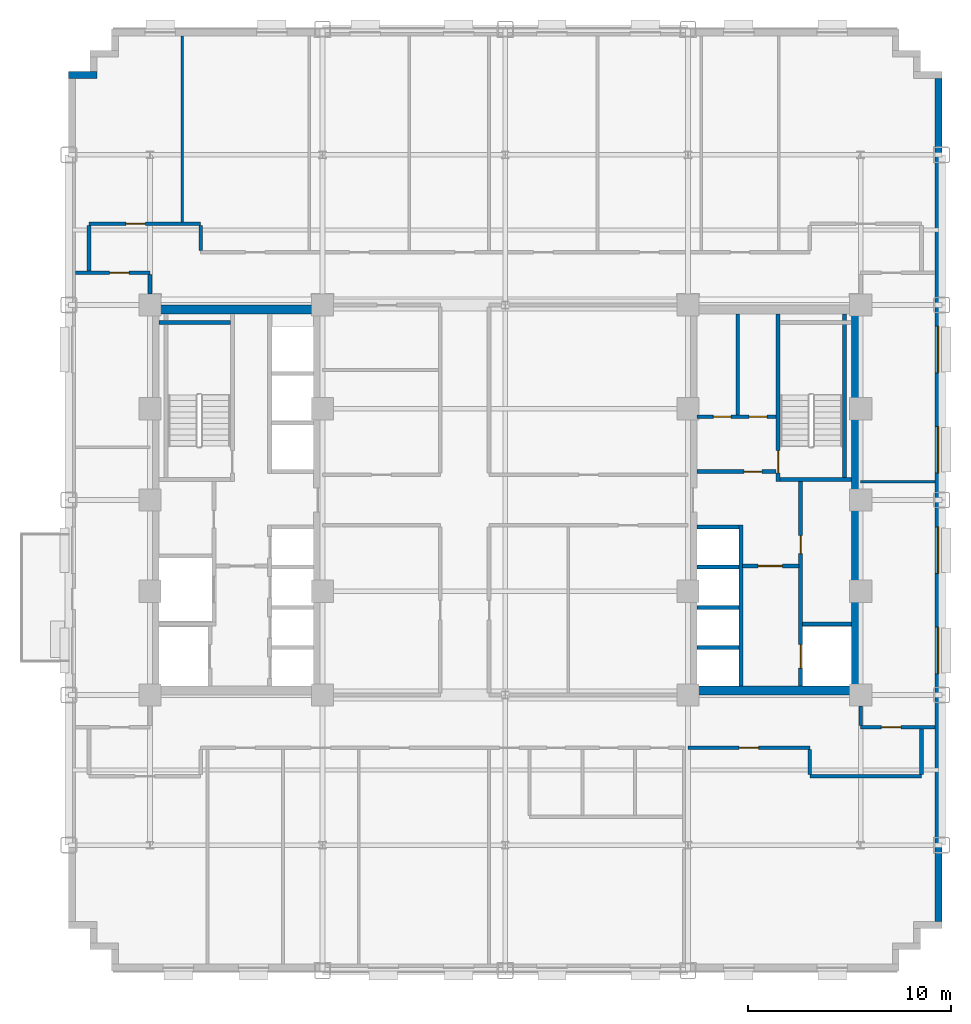
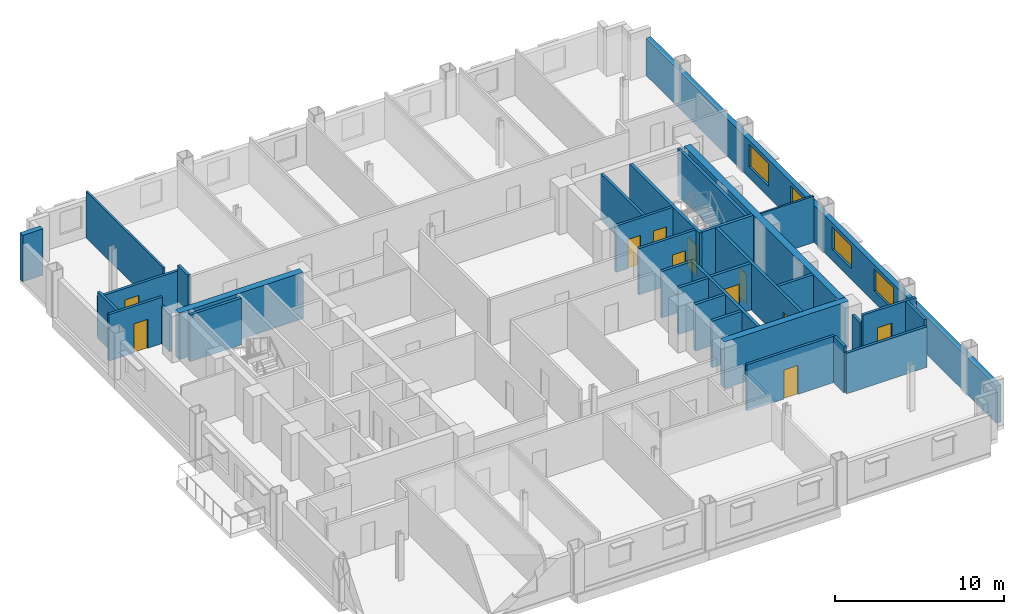
# One storey, part 8 of 14: 33 walls, 11 doors, 4 windows, 15 openings.
"""IFC4 building model written with IfcOpenShell, lengths in metres."""

import ifcopenshell
import ifcopenshell.guid

model = None  # the IFC model being written
_history = None  # IfcOwnerHistory: only IFC2X3 demands one
_inside = {}  # id of a spatial element -> (the spatial element, [elements in it])
_under = {}  # id of a project, library or spatial element -> (it, [spatial elements below it])
_declared = {}  # id of a project -> (the project, [libraries it declares])
_typed = {}  # id of a type object -> (the type object, [elements of that type])
_made_of = {}  # id of a material, layer set ... -> (it, [elements and type objects made of it])


def new_model(schema):
    """Start an empty IFC model of exactly this schema.

    Asked for "IFC4X3", IfcOpenShell would pick the latest addendum, in which some entities
    have other attributes; the version numbers below select the first issue.
    IFC2X3 requires an IfcOwnerHistory on every rooted entity: one is made here for all.
    """
    global model, _history
    if schema == "IFC4X3":
        model = ifcopenshell.file(schema_version=(4, 3, 0, 0))
    else:
        model = ifcopenshell.file(schema=schema)
    _inside.clear()
    _under.clear()
    _declared.clear()
    _typed.clear()
    _made_of.clear()
    _history = None
    if model.schema == "IFC2X3":
        org = make("IfcOrganization", Name="unknown")
        user = make(
            "IfcPersonAndOrganization",
            ThePerson=make("IfcPerson", FamilyName="unknown"),
            TheOrganization=org,
        )
        app = make(
            "IfcApplication",
            ApplicationDeveloper=org,
            Version="unknown",
            ApplicationFullName="unknown",
            ApplicationIdentifier="unknown",
        )
        _history = make(
            "IfcOwnerHistory",
            OwningUser=user,
            OwningApplication=app,
            ChangeAction="ADDED",
            CreationDate=0,
        )
    return model


def make(cls, **values):
    """One entity of the class cls with the attributes given. An attribute that is None is left unset."""
    return model.create_entity(
        cls, **{name: value for name, value in values.items() if value is not None}
    )


def rooted(cls, **values):
    """An entity with a GlobalId (a new one), such as an element, a storey or a relation."""
    return make(cls, GlobalId=ifcopenshell.guid.new(), OwnerHistory=_history, **values)


def si_unit(unit_type, name, prefix=None):
    """IfcSIUnit, for example si_unit("LENGTHUNIT", "METRE", prefix="MILLI")."""
    return make("IfcSIUnit", UnitType=unit_type, Prefix=prefix, Name=name)


def assignment(units):
    """IfcUnitAssignment: the units of a project."""
    return None if units is None else make("IfcUnitAssignment", Units=units)


def point(xyz):
    """IfcCartesianPoint."""
    return None if xyz is None else make("IfcCartesianPoint", Coordinates=xyz)


def direction(xyz):
    """IfcDirection."""
    return None if xyz is None else make("IfcDirection", DirectionRatios=xyz)


def frame(location, z_axis=None, x_axis=None):
    """IfcAxis2Placement3D, a coordinate frame: its origin and axes. An axis left out is left unset."""
    return make(
        "IfcAxis2Placement3D",
        Location=point(location),
        Axis=direction(z_axis),
        RefDirection=direction(x_axis),
    )


def frame_2d(location, x_axis=None):
    """IfcAxis2Placement2D, a coordinate frame in the plane: its origin and x axis."""
    return make(
        "IfcAxis2Placement2D", Location=point(location), RefDirection=direction(x_axis)
    )


def origin():
    """The frame at (0, 0, 0) with its axes left unset."""
    return frame((0.0, 0.0, 0.0))


def place(relative_to, where):
    """IfcLocalPlacement: puts the frame where relative to a parent placement (None: the world)."""
    return make(
        "IfcLocalPlacement", PlacementRelTo=relative_to, RelativePlacement=where
    )


def context(
    kind, dimensions, precision=None, world=None, true_north=None, identifier=None
):
    """IfcGeometricRepresentationContext, for example the 3D "Model" context."""
    return make(
        "IfcGeometricRepresentationContext",
        ContextIdentifier=identifier,
        ContextType=kind,
        CoordinateSpaceDimension=dimensions,
        Precision=precision,
        WorldCoordinateSystem=world,
        TrueNorth=true_north,
    )


def subcontext(parent, identifier, kind, view, scale=None):
    """IfcGeometricRepresentationSubContext, for example "Body" below "Model"."""
    return make(
        "IfcGeometricRepresentationSubContext",
        ContextIdentifier=identifier,
        ContextType=kind,
        ParentContext=parent,
        TargetScale=scale,
        TargetView=view,
    )


def project(units=None, contexts=None):
    """IfcProject with its units and contexts."""
    return rooted(
        "IfcProject",
        Name="project",
        RepresentationContexts=contexts,
        UnitsInContext=assignment(units),
    )


def spatial(cls, under=None, at=None, **own):
    """A site, building, storey or space (cls), placed at a placement, below another one or the project."""
    s = rooted(cls, ObjectPlacement=at, **own)
    if under is not None:
        _under.setdefault(under.id(), (under, []))[1].append(s)
    return s


def profile(cls, at=None, kind="AREA", **sizes):
    """A parametric profile (cls). Its sizes go by their IFC names, for example OverallWidth=200.0."""
    return make(cls, ProfileType=kind, Position=at, **sizes)


def rectangle(**sizes):
    """IfcRectangleProfileDef."""
    return profile("IfcRectangleProfileDef", **sizes)


def extrude(swept, where, along, depth):
    """IfcExtrudedAreaSolid: the profile swept, set in the frame where, extruded along a direction by depth."""
    return make(
        "IfcExtrudedAreaSolid",
        SweptArea=swept,
        Position=where,
        ExtrudedDirection=direction(along),
        Depth=depth,
    )


def shape(context_of_items, identifier, shape_type, items):
    """IfcShapeRepresentation: the items that make up one representation, for example the "Body"."""
    return make(
        "IfcShapeRepresentation",
        ContextOfItems=context_of_items,
        RepresentationIdentifier=identifier,
        RepresentationType=shape_type,
        Items=items,
    )


def source(mapping_origin, context_of_items, identifier, shape_type, items):
    """IfcRepresentationMap: a shape defined once, which mapped items show again and again."""
    return make(
        "IfcRepresentationMap",
        MappingOrigin=mapping_origin,
        MappedRepresentation=shape(context_of_items, identifier, shape_type, items),
    )


def transform(
    local_origin,
    x_axis=None,
    y_axis=None,
    z_axis=None,
    scale=None,
    scale2=None,
    scale3=None,
    uniform=True,
):
    """IfcCartesianTransformationOperator3D, or its non-uniform kind. x_axis, y_axis, z_axis: its Axis1, 2, 3."""
    if uniform:
        return make(
            "IfcCartesianTransformationOperator3D",
            Axis1=direction(x_axis),
            Axis2=direction(y_axis),
            LocalOrigin=point(local_origin),
            Scale=scale,
            Axis3=direction(z_axis),
        )
    return make(
        "IfcCartesianTransformationOperator3DnonUniform",
        Axis1=direction(x_axis),
        Axis2=direction(y_axis),
        LocalOrigin=point(local_origin),
        Scale=scale,
        Axis3=direction(z_axis),
        Scale2=scale2,
        Scale3=scale3,
    )


def mapped(mapping_source, mapping_target):
    """IfcMappedItem: shows the shape of a source again, moved by a transform."""
    return make(
        "IfcMappedItem", MappingSource=mapping_source, MappingTarget=mapping_target
    )


def material(Name=None, Category=None):
    """IfcMaterial."""
    return make("IfcMaterial", Name=Name, Category=Category)


def layer(
    of_material, thickness, ventilated=None, Name=None, Category=None, Priority=None
):
    """IfcMaterialLayer: one layer of a wall or slab, of a material (None: an air gap)."""
    return make(
        "IfcMaterialLayer",
        Material=of_material,
        LayerThickness=thickness,
        IsVentilated=ventilated,
        Name=Name,
        Category=Category,
        Priority=Priority,
    )


def layer_set(layers, Name=None):
    """IfcMaterialLayerSet."""
    return make("IfcMaterialLayerSet", MaterialLayers=layers, LayerSetName=Name)


def made_of(thing, what):
    """Note that an element or type object is made of a material, layer set ...; save() writes the relation."""
    if what is not None:
        _made_of.setdefault(what.id(), (what, []))[1].append(thing)
    return thing


def type_object(cls, material=None, **own):
    """A type object (cls), such as IfcWallType, which elements share."""
    return made_of(rooted(cls, **own), material)


def type_shapes(of_type, sources):
    """Give a type object the sources (RepresentationMaps) that its elements show as mapped items."""
    of_type.RepresentationMaps = sources


def element(
    cls,
    number,
    at=None,
    inside=None,
    cuts=None,
    type_object=None,
    material=None,
    context=None,
    identifier="Body",
    shape_type=None,
    held_by="IfcProductDefinitionShape",
    body=None,
    shapes=None,
    **own,
):
    """One element of the class cls, such as IfcWall. Its Tag is "e" and its number.

    at: its placement. inside: the storey or other place that contains it. cuts: it is an
    opening in that element (IfcRelVoidsElement). A single representation is given by context,
    identifier, shape_type and body (its items); several are given by shapes. held_by: the class
    of the entity that holds the representations. save() writes the other relations.
    """
    e = rooted(cls, Tag="e%d" % number, ObjectPlacement=at, **own)
    if body is not None:
        shapes = [shape(context, identifier, shape_type, body)]
    if shapes is not None:
        e.Representation = make(held_by, Representations=shapes)
    if inside is not None:
        _inside.setdefault(inside.id(), (inside, []))[1].append(e)
    if cuts is not None:
        rooted(
            "IfcRelVoidsElement", RelatingBuildingElement=cuts, RelatedOpeningElement=e
        )
    if type_object is not None:
        _typed.setdefault(type_object.id(), (type_object, []))[1].append(e)
    return made_of(e, material)


def fill(opening, filler):
    """IfcRelFillsElement: the door or window that sits in an opening."""
    return rooted(
        "IfcRelFillsElement",
        RelatingOpeningElement=opening,
        RelatedBuildingElement=filler,
    )


def aggregate(whole, parts):
    """IfcRelAggregates: a whole, such as a stair, and the parts it consists of."""
    return rooted("IfcRelAggregates", RelatingObject=whole, RelatedObjects=parts)


def save(model, path):
    """Write the relations noted so far, then the file.

    IfcRelAggregates (storeys below a building ...), IfcRelContainedInSpatialStructure (elements
    in a storey), IfcRelDefinesByType, IfcRelAssociatesMaterial and IfcRelDeclares: one each for
    every whole, place, type object, material and project.
    """
    for whole, parts in _under.values():
        aggregate(whole, parts)
    for where, things in _inside.values():
        rooted(
            "IfcRelContainedInSpatialStructure",
            RelatedElements=things,
            RelatingStructure=where,
        )
    for kind, things in _typed.values():
        rooted("IfcRelDefinesByType", RelatedObjects=things, RelatingType=kind)
    for what, things in _made_of.values():
        rooted("IfcRelAssociatesMaterial", RelatedObjects=things, RelatingMaterial=what)
    for by, libraries in _declared.values():
        rooted("IfcRelDeclares", RelatingContext=by, RelatedDefinitions=libraries)
    model.write(path)


model = new_model("IFC4")

# Units and contexts
model_context = context("Model", 3, precision=1e-05, world=origin(), true_north=direction((0.0, 1.0)))
body_context = subcontext(model_context, "Body", "Model", "MODEL_VIEW")
ifc_project = project(units=[si_unit("LENGTHUNIT", "METRE"), si_unit("AREAUNIT", "SQUARE_METRE"), si_unit("VOLUMEUNIT", "CUBIC_METRE"), si_unit("PLANEANGLEUNIT", "RADIAN"), si_unit("MASSUNIT", "GRAM", prefix="KILO")], contexts=[model_context])

# Site, building, storey
site_placement = place(None, origin())
site = spatial("IfcSite", under=ifc_project, at=site_placement, CompositionType="ELEMENT")
building_placement = place(site_placement, origin())
building = spatial("IfcBuilding", under=site, at=building_placement, Name="Nuvemarco Arch Tower", CompositionType="ELEMENT")
storey_placement = place(building_placement, frame((0.0, 0.0, 67.75)))
storey = spatial("IfcBuildingStorey", under=building, at=storey_placement, Name="L17", CompositionType="ELEMENT", Elevation=67.75)

# Wall, openings, windows
ifc_material_1 = material(Name="Precast concrete C45/55", Category="concrete")
ifc_layer_1 = layer(ifc_material_1, 0.340087890625, Name="EW-LOW-340")
ifc_layer_set_1 = layer_set([ifc_layer_1], Name="Precast concrete C45/55")
wall_type_1 = type_object("IfcWallType", Name="EW-LOW-340", PredefinedType="STANDARD", material=ifc_layer_set_1)
wall_1_placement = place(storey_placement, frame((21.330078125, -20.763916015625, 0.0), z_axis=(0.0, 0.0, 1.0), x_axis=(0.0, 1.0, 0.0)))
wall_1 = element("IfcWall", 1, at=wall_1_placement, inside=storey, type_object=wall_type_1, Name="L17 exterior precast facade wall 6", PredefinedType="STANDARD", context=body_context, shape_type="SweptSolid", body=[
    extrude(rectangle(XDim=41.52783203125, YDim=0.340087890625, at=frame_2d((20.763916015625, 0.0))), origin(), (0.0, 0.0, 1.0), 2.705078125),
])
opening_1_placement = place(wall_1_placement, frame((12.202392578125, 0.0, 0.800048828125)))
opening_1 = element("IfcOpeningElement", 2, at=opening_1_placement, cuts=wall_1, Name="Opening WN-10", PredefinedType="OPENING", context=body_context, shape_type="SweptSolid", body=[
    extrude(rectangle(XDim=2.300048828125, YDim=1.6201171875, at=frame_2d((1.14990234375, 0.81005859375))), frame((0.0, 0.179931640625, 0.0), z_axis=(0.0, -1.0, 0.0), x_axis=(1.0, 0.0, 0.0)), (0.0, 0.0, 1.0), 0.360107421875),
])
opening_2_placement = place(wall_1_placement, frame((17.1435546875, 0.0, 0.800048828125)))
opening_2 = element("IfcOpeningElement", 3, at=opening_2_placement, cuts=wall_1, Name="Opening WN-10", PredefinedType="OPENING", context=body_context, shape_type="SweptSolid", body=[
    extrude(rectangle(XDim=2.300048828125, YDim=1.6201171875, at=frame_2d((1.14990234375, 0.81005859375))), frame((0.0, 0.179931640625, 0.0), z_axis=(0.0, -1.0, 0.0), x_axis=(1.0, 0.0, 0.0)), (0.0, 0.0, 1.0), 0.360107421875),
])
opening_3_placement = place(wall_1_placement, frame((22.08447265625, 0.0, 0.800048828125)))
opening_3 = element("IfcOpeningElement", 4, at=opening_3_placement, cuts=wall_1, Name="Opening WN-10", PredefinedType="OPENING", context=body_context, shape_type="SweptSolid", body=[
    extrude(rectangle(XDim=2.300048828125, YDim=1.6201171875, at=frame_2d((1.14990234375, 0.81005859375))), frame((0.0, 0.179931640625, 0.0), z_axis=(0.0, -1.0, 0.0), x_axis=(1.0, 0.0, 0.0)), (0.0, 0.0, 1.0), 0.360107421875),
])
opening_4_placement = place(wall_1_placement, frame((27.025390625, 0.0, 0.800048828125)))
opening_4 = element("IfcOpeningElement", 5, at=opening_4_placement, cuts=wall_1, Name="Opening WN-10", PredefinedType="OPENING", context=body_context, shape_type="SweptSolid", body=[
    extrude(rectangle(XDim=2.300048828125, YDim=1.6201171875, at=frame_2d((1.14990234375, 0.81005859375))), frame((0.0, 0.179931640625, 0.0), z_axis=(0.0, -1.0, 0.0), x_axis=(1.0, 0.0, 0.0)), (0.0, 0.0, 1.0), 0.360107421875),
])
ifc_material_2 = material(Name="Insulated solar-control glass", Category="glass")
window_type = type_object("IfcWindowType", Name="WN-STEP-2300x1700", PartitioningType="DOUBLE_PANEL_VERTICAL", PredefinedType="WINDOW", material=ifc_material_2)
shared_shape_1 = source(origin(), body_context, "Body", "SweptSolid", [
    extrude(rectangle(XDim=2.300048828125, YDim=1.6201171875, at=frame_2d((1.14990234375, 0.81005859375))), frame((0.0, 0.030029296875, 0.0), z_axis=(0.0, -1.0, 0.0), x_axis=(1.0, 0.0, 0.0)), (0.0, 0.0, 1.0), 0.06005859375),
])
type_shapes(window_type, [shared_shape_1])
window_1_placement = place(opening_1_placement, origin())
window_1 = element("IfcWindow", 6, at=window_1_placement, inside=storey, type_object=window_type, Name="L17 punched facade window 3", OverallHeight=1.6201171875, OverallWidth=2.300048828125, PartitioningType="SINGLE_PANEL", PredefinedType="WINDOW", context=body_context, shape_type="MappedRepresentation", body=[
    mapped(shared_shape_1, transform((0.0, 0.0, 0.0), scale=1.0)),
])
fill(opening_1, window_1)
window_2_placement = place(opening_2_placement, origin())
window_2 = element("IfcWindow", 7, at=window_2_placement, inside=storey, type_object=window_type, Name="L17 punched facade window 4", OverallHeight=1.6201171875, OverallWidth=2.300048828125, PartitioningType="SINGLE_PANEL", PredefinedType="WINDOW", context=body_context, shape_type="MappedRepresentation", body=[
    mapped(shared_shape_1, transform((0.0, 0.0, 0.0), scale=1.0)),
])
fill(opening_2, window_2)
window_3_placement = place(opening_3_placement, origin())
window_3 = element("IfcWindow", 8, at=window_3_placement, inside=storey, type_object=window_type, Name="L17 punched facade window 5", OverallHeight=1.6201171875, OverallWidth=2.300048828125, PartitioningType="SINGLE_PANEL", PredefinedType="WINDOW", context=body_context, shape_type="MappedRepresentation", body=[
    mapped(shared_shape_1, transform((0.0, 0.0, 0.0), scale=1.0)),
])
fill(opening_3, window_3)
window_4_placement = place(opening_4_placement, origin())
window_4 = element("IfcWindow", 9, at=window_4_placement, inside=storey, type_object=window_type, Name="L17 punched facade window 6", OverallHeight=1.6201171875, OverallWidth=2.300048828125, PartitioningType="SINGLE_PANEL", PredefinedType="WINDOW", context=body_context, shape_type="MappedRepresentation", body=[
    mapped(shared_shape_1, transform((0.0, 0.0, 0.0), scale=1.0)),
])
fill(opening_4, window_4)

# Walls
wall_2_placement = place(storey_placement, frame((-21.5, 20.929931640625, 0.0), z_axis=(0.0, 0.0, 1.0), x_axis=(1.0, 0.0, 0.0)))
element("IfcWall", 10, at=wall_2_placement, inside=storey, type_object=wall_type_1, Name="L17 exterior precast facade wall 15", PredefinedType="STANDARD", context=body_context, shape_type="SweptSolid", body=[
    extrude(rectangle(XDim=1.389892578125, YDim=0.340087890625, at=frame_2d((0.69482421875, 0.0))), origin(), (0.0, 0.0, 1.0), 3.360107421875),
])
ifc_material_3 = material(Name="Concrete C60/75", Category="concrete")
ifc_layer_2 = layer(ifc_material_3, 0.449951171875, Name="WL-CORE-450")
ifc_layer_set_2 = layer_set([ifc_layer_2], Name="Concrete C60/75")
wall_type_2 = type_object("IfcWallType", Name="WL-CORE-450", PredefinedType="SHEAR", material=ifc_layer_set_2)
for number, where, z_axis, x_axis, name in (
    (11, (-17.5, 9.375, 0.0), (0.0, 0.0, 1.0), (1.0, 0.0, 0.0), "L17 W-core shear wall N"),
    (12, (9.0, -9.375, 0.0), (0.0, 0.0, 1.0), (1.0, 0.0, 0.0), "L17 E-core shear wall S"),
):
    element("IfcWall", number, at=place(storey_placement, frame(where, z_axis=z_axis, x_axis=x_axis)), inside=storey, type_object=wall_type_2, Name=name, PredefinedType="SHEAR", context=body_context, shape_type="SweptSolid", body=[
        extrude(rectangle(XDim=8.5, YDim=0.449951171875, at=frame_2d((4.25, 0.0))), origin(), (0.0, 0.0, 1.0), 3.3701171875),
    ])
wall_3_placement = place(storey_placement, frame((17.27490234375, -9.155029296875, 0.0), z_axis=(0.0, 0.0, 1.0), x_axis=(0.0, 1.0, 0.0)))
element("IfcWall", 13, at=wall_3_placement, inside=storey, type_object=wall_type_2, Name="L17 E-core shear wall E", PredefinedType="SHEAR", context=body_context, shape_type="SweptSolid", body=[
    extrude(rectangle(XDim=18.31005859375, YDim=0.449951171875, at=frame_2d((9.155029296875, 0.0))), origin(), (0.0, 0.0, 1.0), 3.3701171875),
])

# Wall, opening, door
ifc_material_4 = material(Name="Fire-rated gypsum drywall partition")
ifc_layer_3 = layer(ifc_material_4, 0.179931640625, Name="WL-CORR-180")
ifc_layer_set_3 = layer_set([ifc_layer_3], Name="Fire-rated gypsum drywall partition")
wall_type_3 = type_object("IfcWallType", Name="WL-CORR-180", PredefinedType="PARTITIONING", material=ifc_layer_set_3)
wall_4_placement = place(storey_placement, frame((9.445068359375, 1.39990234375, 0.0), z_axis=(0.0, 0.0, 1.0), x_axis=(1.0, 0.0, 0.0)))
wall_4 = element("IfcWall", 14, at=wall_4_placement, inside=storey, type_object=wall_type_3, Name="L17 interior wall IW-L17-EK-S", PredefinedType="PARTITIONING", context=body_context, shape_type="SweptSolid", body=[
    extrude(rectangle(XDim=3.89990234375, YDim=0.179931640625, at=frame_2d((1.949951171875, 0.0))), origin(), (0.0, 0.0, 1.0), 3.360107421875),
])
opening_5_placement = place(wall_4_placement, frame((2.31494140625, 0.0, 0.0)))
opening_5 = element("IfcOpeningElement", 15, at=opening_5_placement, cuts=wall_4, Name="Opening FD-4", PredefinedType="OPENING", context=body_context, shape_type="SweptSolid", body=[
    extrude(rectangle(XDim=0.8798828125, YDim=2.10009765625, at=frame_2d((0.43994140625, 1.050048828125))), frame((0.0, 0.099853515625, 0.0), z_axis=(0.0, -1.0, 0.0), x_axis=(1.0, 0.0, 0.0)), (0.0, 0.0, 1.0), 0.199951171875),
])
ifc_material_5 = material(Name="Anodised steel fire door", Category="steel")
door_type_1 = type_object("IfcDoorType", Name="DR-RISER-FD", OperationType="NOTDEFINED", PredefinedType="DOOR", material=ifc_material_5)
shared_shape_2 = source(origin(), body_context, "Body", "SweptSolid", [
    extrude(rectangle(XDim=0.8798828125, YDim=2.10009765625, at=frame_2d((0.43994140625, 1.050048828125))), frame((0.0, 0.02490234375, 0.0), z_axis=(0.0, -1.0, 0.0), x_axis=(1.0, 0.0, 0.0)), (0.0, 0.0, 1.0), 0.050048828125),
])
type_shapes(door_type_1, [shared_shape_2])
door_1_placement = place(opening_5_placement, origin())
door_1 = element("IfcDoor", 16, at=door_1_placement, inside=storey, type_object=door_type_1, Name="L17 door FD-L17-EK3A", OperationType="SINGLE_SWING_LEFT", OverallHeight=2.10009765625, OverallWidth=0.8798828125, PredefinedType="DOOR", context=body_context, shape_type="MappedRepresentation", body=[
    mapped(shared_shape_2, transform((0.0, 0.0, 0.0), scale=1.0)),
])
fill(opening_5, door_1)

# Wall, openings, doors
wall_5_placement = place(storey_placement, frame((9.445068359375, 4.10009765625, 0.0), z_axis=(0.0, 0.0, 1.0), x_axis=(1.0, 0.0, 0.0)))
wall_5 = element("IfcWall", 17, at=wall_5_placement, inside=storey, type_object=wall_type_3, Name="L17 interior wall IW-L17-EK3H", PredefinedType="PARTITIONING", context=body_context, shape_type="SweptSolid", body=[
    extrude(rectangle(XDim=3.89990234375, YDim=0.179931640625, at=frame_2d((1.949951171875, 0.0))), origin(), (0.0, 0.0, 1.0), 3.360107421875),
])
opening_6_placement = place(wall_5_placement, frame((0.800048828125, 0.0, 0.0)))
opening_6 = element("IfcOpeningElement", 18, at=opening_6_placement, cuts=wall_5, Name="Opening FD-4", PredefinedType="OPENING", context=body_context, shape_type="SweptSolid", body=[
    extrude(rectangle(XDim=0.8798828125, YDim=2.10009765625, at=frame_2d((0.43994140625, 1.050048828125))), frame((0.0, 0.099853515625, 0.0), z_axis=(0.0, -1.0, 0.0), x_axis=(1.0, 0.0, 0.0)), (0.0, 0.0, 1.0), 0.199951171875),
])
opening_7_placement = place(wall_5_placement, frame((2.56494140625, 0.0, 0.0)))
opening_7 = element("IfcOpeningElement", 19, at=opening_7_placement, cuts=wall_5, Name="Opening FD-4", PredefinedType="OPENING", context=body_context, shape_type="SweptSolid", body=[
    extrude(rectangle(XDim=0.8798828125, YDim=2.10009765625, at=frame_2d((0.43994140625, 1.050048828125))), frame((0.0, 0.099853515625, 0.0), z_axis=(0.0, -1.0, 0.0), x_axis=(1.0, 0.0, 0.0)), (0.0, 0.0, 1.0), 0.199951171875),
])
door_2_placement = place(opening_6_placement, origin())
door_2 = element("IfcDoor", 20, at=door_2_placement, inside=storey, type_object=door_type_1, Name="L17 door FD-L17-EK3B", OperationType="SINGLE_SWING_RIGHT", OverallHeight=2.10009765625, OverallWidth=0.8798828125, PredefinedType="DOOR", context=body_context, shape_type="MappedRepresentation", body=[
    mapped(shared_shape_2, transform((0.0, 0.0, 0.0), scale=1.0)),
])
fill(opening_6, door_2)
door_3_placement = place(opening_7_placement, origin())
door_3 = element("IfcDoor", 21, at=door_3_placement, inside=storey, type_object=door_type_1, Name="L17 door FD-L17-EK3C", OperationType="SINGLE_SWING_LEFT", OverallHeight=2.10009765625, OverallWidth=0.8798828125, PredefinedType="DOOR", context=body_context, shape_type="MappedRepresentation", body=[
    mapped(shared_shape_2, transform((0.0, 0.0, 0.0), scale=1.0)),
])
fill(opening_7, door_3)

# Walls
wall_6_placement = place(storey_placement, frame((11.449951171875, 4.18994140625, 0.0), z_axis=(0.0, 0.0, 1.0), x_axis=(0.0, 1.0, 0.0)))
element("IfcWall", 22, at=wall_6_placement, inside=storey, type_object=wall_type_3, Name="L17 interior wall IW-L17-EK3V", PredefinedType="PARTITIONING", context=body_context, shape_type="SweptSolid", body=[
    extrude(rectangle(XDim=4.965087890625, YDim=0.179931640625, at=frame_2d((2.482421875, 0.0))), origin(), (0.0, 0.0, 1.0), 3.360107421875),
])
wall_7_placement = place(storey_placement, frame((15.0, -13.60009765625, 0.0), z_axis=(0.0, 0.0, 1.0), x_axis=(1.0, 0.0, 0.0)))
element("IfcWall", 23, at=wall_7_placement, inside=storey, type_object=wall_type_3, Name="L17 interior wall IW-L17-003", PredefinedType="PARTITIONING", context=body_context, shape_type="SweptSolid", body=[
    extrude(rectangle(XDim=5.5, YDim=0.179931640625, at=frame_2d((2.75, 0.0))), origin(), (0.0, 0.0, 1.0), 2.94189453125),
])

# Wall, opening, door
wall_8_placement = place(storey_placement, frame((9.0, -12.199951171875, 0.0), z_axis=(0.0, 0.0, 1.0), x_axis=(1.0, 0.0, 0.0)))
wall_8 = element("IfcWall", 24, at=wall_8_placement, inside=storey, type_object=wall_type_3, Name="L17 interior wall IW-L17-005", PredefinedType="PARTITIONING", context=body_context, shape_type="SweptSolid", body=[
    extrude(rectangle(XDim=6.0, YDim=0.179931640625, at=frame_2d((3.0, 0.0))), origin(), (0.0, 0.0, 1.0), 3.360107421875),
])
opening_8_placement = place(wall_8_placement, frame((2.52001953125, 0.0, 0.0)))
opening_8 = element("IfcOpeningElement", 25, at=opening_8_placement, cuts=wall_8, Name="Opening FD-5", PredefinedType="OPENING", context=body_context, shape_type="SweptSolid", body=[
    extrude(rectangle(XDim=0.9599609375, YDim=2.10009765625, at=frame_2d((0.47998046875, 1.050048828125))), frame((0.0, 0.099853515625, 0.0), z_axis=(0.0, -1.0, 0.0), x_axis=(1.0, 0.0, 0.0)), (0.0, 0.0, 1.0), 0.199951171875),
])
ifc_material_6 = material(Name="Timber fire door", Category="wood")
door_type_2 = type_object("IfcDoorType", Name="DR-CORR-FD", OperationType="NOTDEFINED", PredefinedType="DOOR", material=ifc_material_6)
shared_shape_3 = source(origin(), body_context, "Body", "SweptSolid", [
    extrude(rectangle(XDim=0.9599609375, YDim=2.10009765625, at=frame_2d((0.47998046875, 1.050048828125))), frame((0.0, 0.02490234375, 0.0), z_axis=(0.0, -1.0, 0.0), x_axis=(1.0, 0.0, 0.0)), (0.0, 0.0, 1.0), 0.050048828125),
])
type_shapes(door_type_2, [shared_shape_3])
door_4_placement = place(opening_8_placement, origin())
door_4 = element("IfcDoor", 26, at=door_4_placement, inside=storey, type_object=door_type_2, Name="L17 door DR-L17-S_6", OperationType="SINGLE_SWING_LEFT", OverallHeight=2.10009765625, OverallWidth=0.9599609375, PredefinedType="DOOR", context=body_context, shape_type="MappedRepresentation", body=[
    mapped(shared_shape_3, transform((0.0, 0.0, 0.0), scale=1.0)),
])
fill(opening_8, door_4)

wall_9_placement = place(storey_placement, frame((17.5, -11.199951171875, 0.0), z_axis=(0.0, 0.0, 1.0), x_axis=(1.0, 0.0, 0.0)))
wall_9 = element("IfcWall", 27, at=wall_9_placement, inside=storey, type_object=wall_type_3, Name="L17 interior wall IW-L17-007", PredefinedType="PARTITIONING", context=body_context, shape_type="SweptSolid", body=[
    extrude(rectangle(XDim=3.659912109375, YDim=0.179931640625, at=frame_2d((1.830078125, 0.0))), origin(), (0.0, 0.0, 1.0), 3.360107421875),
])
opening_9_placement = place(wall_9_placement, frame((1.02001953125, 0.0, 0.0)))
opening_9 = element("IfcOpeningElement", 28, at=opening_9_placement, cuts=wall_9, Name="Opening FD-5", PredefinedType="OPENING", context=body_context, shape_type="SweptSolid", body=[
    extrude(rectangle(XDim=0.9599609375, YDim=2.10009765625, at=frame_2d((0.47998046875, 1.050048828125))), frame((0.0, 0.099853515625, 0.0), z_axis=(0.0, -1.0, 0.0), x_axis=(1.0, 0.0, 0.0)), (0.0, 0.0, 1.0), 0.199951171875),
])
door_5_placement = place(opening_9_placement, origin())
door_5 = element("IfcDoor", 29, at=door_5_placement, inside=storey, type_object=door_type_2, Name="L17 door DR-L17-E_1", OperationType="SINGLE_SWING_RIGHT", OverallHeight=2.10009765625, OverallWidth=0.9599609375, PredefinedType="DOOR", context=body_context, shape_type="MappedRepresentation", body=[
    mapped(shared_shape_3, transform((0.0, 0.0, 0.0), scale=1.0)),
])
fill(opening_9, door_5)

wall_10_placement = place(storey_placement, frame((-21.159912109375, 11.199951171875, 0.0), z_axis=(0.0, 0.0, 1.0), x_axis=(1.0, 0.0, 0.0)))
wall_10 = element("IfcWall", 30, at=wall_10_placement, inside=storey, type_object=wall_type_3, Name="L17 interior wall IW-L17-021", PredefinedType="PARTITIONING", context=body_context, shape_type="SweptSolid", body=[
    extrude(rectangle(XDim=3.659912109375, YDim=0.179931640625, at=frame_2d((1.830078125, 0.0))), origin(), (0.0, 0.0, 1.0), 3.360107421875),
])
opening_10_placement = place(wall_10_placement, frame((1.679931640625, 0.0, 0.0)))
opening_10 = element("IfcOpeningElement", 31, at=opening_10_placement, cuts=wall_10, Name="Opening FD-5", PredefinedType="OPENING", context=body_context, shape_type="SweptSolid", body=[
    extrude(rectangle(XDim=0.9599609375, YDim=2.10009765625, at=frame_2d((0.47998046875, 1.050048828125))), frame((0.0, 0.099853515625, 0.0), z_axis=(0.0, -1.0, 0.0), x_axis=(1.0, 0.0, 0.0)), (0.0, 0.0, 1.0), 0.199951171875),
])
door_6_placement = place(opening_10_placement, origin())
door_6 = element("IfcDoor", 32, at=door_6_placement, inside=storey, type_object=door_type_2, Name="L17 door DR-L17-W_2", OperationType="SINGLE_SWING_LEFT", OverallHeight=2.10009765625, OverallWidth=0.9599609375, PredefinedType="DOOR", context=body_context, shape_type="MappedRepresentation", body=[
    mapped(shared_shape_3, transform((0.0, 0.0, 0.0), scale=1.0)),
])
fill(opening_10, door_6)

wall_11_placement = place(storey_placement, frame((-20.5, 13.60009765625, 0.0), z_axis=(0.0, 0.0, 1.0), x_axis=(1.0, 0.0, 0.0)))
wall_11 = element("IfcWall", 33, at=wall_11_placement, inside=storey, type_object=wall_type_3, Name="L17 interior wall IW-L17-024", PredefinedType="PARTITIONING", context=body_context, shape_type="SweptSolid", body=[
    extrude(rectangle(XDim=5.5, YDim=0.179931640625, at=frame_2d((2.75, 0.0))), origin(), (0.0, 0.0, 1.0), 2.94189453125),
])
opening_11_placement = place(wall_11_placement, frame((1.81494140625, 0.0, 0.0)))
opening_11 = element("IfcOpeningElement", 34, at=opening_11_placement, cuts=wall_11, Name="Opening FD-5", PredefinedType="OPENING", context=body_context, shape_type="SweptSolid", body=[
    extrude(rectangle(XDim=0.9599609375, YDim=2.10009765625, at=frame_2d((0.47998046875, 1.050048828125))), frame((0.0, 0.099853515625, 0.0), z_axis=(0.0, -1.0, 0.0), x_axis=(1.0, 0.0, 0.0)), (0.0, 0.0, 1.0), 0.199951171875),
])
door_7_placement = place(opening_11_placement, origin())
door_7 = element("IfcDoor", 35, at=door_7_placement, inside=storey, type_object=door_type_2, Name="L17 door DR-L17-N_1", OperationType="SINGLE_SWING_LEFT", OverallHeight=2.10009765625, OverallWidth=0.9599609375, PredefinedType="DOOR", context=body_context, shape_type="MappedRepresentation", body=[
    mapped(shared_shape_3, transform((0.0, 0.0, 0.0), scale=1.0)),
])
fill(opening_11, door_7)

# Walls
wall_12_placement = place(storey_placement, frame((-20.5, 11.285888671875, 0.0), z_axis=(0.0, 0.0, 1.0), x_axis=(0.0, 1.0, 0.0)))
element("IfcWall", 36, at=wall_12_placement, inside=storey, type_object=wall_type_3, Name="L17 interior wall IW-L17-027", PredefinedType="PARTITIONING", context=body_context, shape_type="SweptSolid", body=[
    extrude(rectangle(XDim=2.22802734375, YDim=0.179931640625, at=frame_2d((1.114013671875, 0.0))), origin(), (0.0, 0.0, 1.0), 3.360107421875),
])
wall_13_placement = place(storey_placement, frame((-17.5, 10.14599609375, 0.0), z_axis=(0.0, 0.0, 1.0), x_axis=(0.0, 1.0, 0.0)))
element("IfcWall", 37, at=wall_13_placement, inside=storey, type_object=wall_type_3, Name="L17 interior wall IW-L17-029", PredefinedType="PARTITIONING", context=body_context, shape_type="SweptSolid", body=[
    extrude(rectangle(XDim=0.968017578125, YDim=0.179931640625, at=frame_2d((0.48388671875, 0.0))), origin(), (0.0, 0.0, 1.0), 2.738037109375),
])
for number, where, z_axis, x_axis, name in (
    (38, (-15.0, 12.285888671875, 0.0), (0.0, 0.0, 1.0), (0.0, 1.0, 0.0), "L17 interior wall IW-L17-032"),
    (39, (15.0, -13.513916015625, 0.0), (0.0, 0.0, 1.0), (0.0, 1.0, 0.0), "L17 interior wall IW-L17-053"),
):
    element("IfcWall", number, at=place(storey_placement, frame(where, z_axis=z_axis, x_axis=x_axis)), inside=storey, type_object=wall_type_3, Name=name, PredefinedType="PARTITIONING", context=body_context, shape_type="SweptSolid", body=[
        extrude(rectangle(XDim=1.22802734375, YDim=0.179931640625, at=frame_2d((0.614013671875, 0.0))), origin(), (0.0, 0.0, 1.0), 3.360107421875),
    ])
wall_14_placement = place(storey_placement, frame((17.5, -11.114013671875, 0.0), z_axis=(0.0, 0.0, 1.0), x_axis=(0.0, 1.0, 0.0)))
element("IfcWall", 40, at=wall_14_placement, inside=storey, type_object=wall_type_3, Name="L17 interior wall IW-L17-055", PredefinedType="PARTITIONING", context=body_context, shape_type="SweptSolid", body=[
    extrude(rectangle(XDim=0.968017578125, YDim=0.179931640625, at=frame_2d((0.48388671875, 0.0))), origin(), (0.0, 0.0, 1.0), 2.738037109375),
])
wall_15_placement = place(storey_placement, frame((20.5, -13.513916015625, 0.0), z_axis=(0.0, 0.0, 1.0), x_axis=(0.0, 1.0, 0.0)))
element("IfcWall", 41, at=wall_15_placement, inside=storey, type_object=wall_type_3, Name="L17 interior wall IW-L17-057", PredefinedType="PARTITIONING", context=body_context, shape_type="SweptSolid", body=[
    extrude(rectangle(XDim=2.22802734375, YDim=0.179931640625, at=frame_2d((1.114013671875, 0.0))), origin(), (0.0, 0.0, 1.0), 3.360107421875),
])
ifc_material_7 = material(Name="Glazed acoustic office partition")
ifc_layer_4 = layer(ifc_material_7, 0.1298828125, Name="WL-EXEC-130")
ifc_layer_set_4 = layer_set([ifc_layer_4], Name="Glazed acoustic office partition")
wall_type_4 = type_object("IfcWallType", Name="WL-EXEC-130", PredefinedType="PARTITIONING", material=ifc_layer_set_4)
wall_16_placement = place(storey_placement, frame((17.5, 0.89990234375, 0.0), z_axis=(0.0, 0.0, 1.0), x_axis=(1.0, 0.0, 0.0)))
element("IfcWall", 42, at=wall_16_placement, inside=storey, type_object=wall_type_4, Name="L17 interior wall IW-L17-013", PredefinedType="PARTITIONING", context=body_context, shape_type="SweptSolid", body=[
    extrude(rectangle(XDim=3.659912109375, YDim=0.1298828125, at=frame_2d((1.830078125, 0.0))), origin(), (0.0, 0.0, 1.0), 3.360107421875),
])
wall_17_placement = place(storey_placement, frame((-15.909912109375, 13.68603515625, 0.0), z_axis=(0.0, 0.0, 1.0), x_axis=(0.0, 1.0, 0.0)))
element("IfcWall", 43, at=wall_17_placement, inside=storey, type_object=wall_type_4, Name="L17 interior wall IW-L17-030", PredefinedType="PARTITIONING", context=body_context, shape_type="SweptSolid", body=[
    extrude(rectangle(XDim=9.174072265625, YDim=0.1298828125, at=frame_2d((4.5869140625, 0.0))), origin(), (0.0, 0.0, 1.0), 3.360107421875),
])
ifc_material_8 = material(Name="Concrete C50/60", Category="concrete")
ifc_layer_5 = layer(ifc_material_8, 0.199951171875, Name="WL-SHAFT-220")
ifc_layer_set_5 = layer_set([ifc_layer_5], Name="Concrete C50/60")
wall_type_5 = type_object("IfcWallType", Name="WL-SHAFT-220", PredefinedType="SHEAR", material=ifc_layer_set_5)
wall_18_placement = place(storey_placement, frame((-17.054931640625, 8.75, 0.0), z_axis=(0.0, 0.0, 1.0), x_axis=(1.0, 0.0, 0.0)))
element("IfcWall", 44, at=wall_18_placement, inside=storey, type_object=wall_type_5, Name="L17 structural shaft wall SW-L17-W-ST1N", PredefinedType="SHEAR", context=body_context, shape_type="SweptSolid", body=[
    extrude(rectangle(XDim=3.52001953125, YDim=0.199951171875, at=frame_2d((1.760009765625, 0.0))), origin(), (0.0, 0.0, 1.0), 3.3701171875),
])

# Wall, opening, door
wall_19_placement = place(storey_placement, frame((13.43994140625, 0.89990234375, 0.0), z_axis=(0.0, 0.0, 1.0), x_axis=(0.0, 1.0, 0.0)))
wall_19 = element("IfcWall", 45, at=wall_19_placement, inside=storey, type_object=wall_type_5, Name="L17 structural shaft wall SW-L17-E-ST2W", PredefinedType="SHEAR", context=body_context, shape_type="SweptSolid", body=[
    extrude(rectangle(XDim=8.255126953125, YDim=0.199951171875, at=frame_2d((4.12744140625, 0.0))), origin(), (0.0, 0.0, 1.0), 3.3701171875),
])
opening_12_placement = place(wall_19_placement, frame((0.429931640625, 0.0, 0.0)))
opening_12 = element("IfcOpeningElement", 46, at=opening_12_placement, cuts=wall_19, Name="Opening FD-1", PredefinedType="OPENING", context=body_context, shape_type="SweptSolid", body=[
    extrude(rectangle(XDim=1.10009765625, YDim=2.14990234375, at=frame_2d((0.550048828125, 1.074951171875))), frame((0.0, 0.10986328125, 0.0), z_axis=(0.0, -1.0, 0.0), x_axis=(1.0, 0.0, 0.0)), (0.0, 0.0, 1.0), 0.219970703125),
])
door_type_3 = type_object("IfcDoorType", Name="DR-STAIR-FD", OperationType="NOTDEFINED", PredefinedType="DOOR", material=ifc_material_5)
shared_shape_4 = source(origin(), body_context, "Body", "SweptSolid", [
    extrude(rectangle(XDim=1.10009765625, YDim=2.14990234375, at=frame_2d((0.550048828125, 1.074951171875))), frame((0.0, 0.02490234375, 0.0), z_axis=(0.0, -1.0, 0.0), x_axis=(1.0, 0.0, 0.0)), (0.0, 0.0, 1.0), 0.050048828125),
])
type_shapes(door_type_3, [shared_shape_4])
door_8_placement = place(opening_12_placement, origin())
door_8 = element("IfcDoor", 47, at=door_8_placement, inside=storey, type_object=door_type_3, Name="L17 door FD-L17-ST2", OperationType="SINGLE_SWING_RIGHT", OverallHeight=2.14990234375, OverallWidth=1.10009765625, PredefinedType="DOOR", context=body_context, shape_type="MappedRepresentation", body=[
    mapped(shared_shape_4, transform((0.0, 0.0, 0.0), scale=1.0)),
])
fill(opening_12, door_8)

# Walls
wall_20_placement = place(storey_placement, frame((13.534912109375, 1.0, 0.0), z_axis=(0.0, 0.0, 1.0), x_axis=(1.0, 0.0, 0.0)))
element("IfcWall", 48, at=wall_20_placement, inside=storey, type_object=wall_type_5, Name="L17 structural shaft wall SW-L17-E-ST2S", PredefinedType="SHEAR", context=body_context, shape_type="SweptSolid", body=[
    extrude(rectangle(XDim=3.52001953125, YDim=0.199951171875, at=frame_2d((1.760009765625, 0.0))), origin(), (0.0, 0.0, 1.0), 3.3701171875),
])
wall_21_placement = place(storey_placement, frame((16.699951171875, 1.094970703125, 0.0), z_axis=(0.0, 0.0, 1.0), x_axis=(0.0, 1.0, 0.0)))
element("IfcWall", 49, at=wall_21_placement, inside=storey, type_object=wall_type_5, Name="L17 structural shaft wall SW-L17-E-ST2E", PredefinedType="SHEAR", context=body_context, shape_type="SweptSolid", body=[
    extrude(rectangle(XDim=8.06005859375, YDim=0.199951171875, at=frame_2d((4.030029296875, 0.0))), origin(), (0.0, 0.0, 1.0), 3.3701171875),
])

# Wall, openings, doors
wall_22_placement = place(storey_placement, frame((14.550048828125, -9.155029296875, 0.0), z_axis=(0.0, 0.0, 1.0), x_axis=(0.0, 1.0, 0.0)))
wall_22 = element("IfcWall", 50, at=wall_22_placement, inside=storey, type_object=wall_type_5, Name="L17 structural shaft wall SW-L17-E-SHW", PredefinedType="SHEAR", context=body_context, shape_type="SweptSolid", body=[
    extrude(rectangle(XDim=10.06005859375, YDim=0.199951171875, at=frame_2d((5.030029296875, 0.0))), origin(), (0.0, 0.0, 1.0), 3.3701171875),
])
opening_13_placement = place(wall_22_placement, frame((6.514892578125, 0.0, 0.0)))
opening_13 = element("IfcOpeningElement", 51, at=opening_13_placement, cuts=wall_22, Name="Opening FD-4", PredefinedType="OPENING", context=body_context, shape_type="SweptSolid", body=[
    extrude(rectangle(XDim=0.8798828125, YDim=2.10009765625, at=frame_2d((0.43994140625, 1.050048828125))), frame((0.0, 0.10986328125, 0.0), z_axis=(0.0, -1.0, 0.0), x_axis=(1.0, 0.0, 0.0)), (0.0, 0.0, 1.0), 0.219970703125),
])
opening_14_placement = place(wall_22_placement, frame((0.8798828125, 0.0, 0.0)))
opening_14 = element("IfcOpeningElement", 52, at=opening_14_placement, cuts=wall_22, Name="Opening LD-2", PredefinedType="OPENING", context=body_context, shape_type="SweptSolid", body=[
    extrude(rectangle(XDim=1.14990234375, YDim=2.14990234375, at=frame_2d((0.574951171875, 1.074951171875))), frame((0.0, 0.10986328125, 0.0), z_axis=(0.0, -1.0, 0.0), x_axis=(1.0, 0.0, 0.0)), (0.0, 0.0, 1.0), 0.219970703125),
])
door_9_placement = place(opening_13_placement, origin())
door_9 = element("IfcDoor", 53, at=door_9_placement, inside=storey, type_object=door_type_1, Name="L17 door FD-L17-ERIS", OperationType="SINGLE_SWING_RIGHT", OverallHeight=2.10009765625, OverallWidth=0.8798828125, PredefinedType="DOOR", context=body_context, shape_type="MappedRepresentation", body=[
    mapped(shared_shape_2, transform((0.0, 0.0, 0.0), scale=1.0)),
])
fill(opening_13, door_9)
ifc_material_9 = material(Name="Stainless steel lift door", Category="steel")
door_type_4 = type_object("IfcDoorType", Name="DR-LIFT-FIRE", OperationType="DOUBLE_DOOR_SLIDING", PredefinedType="DOOR", material=ifc_material_9)
shared_shape_5 = source(origin(), body_context, "Body", "SweptSolid", [
    extrude(rectangle(XDim=1.14990234375, YDim=2.14990234375, at=frame_2d((0.574951171875, 1.074951171875))), frame((0.0, 0.02490234375, 0.0), z_axis=(0.0, -1.0, 0.0), x_axis=(1.0, 0.0, 0.0)), (0.0, 0.0, 1.0), 0.050048828125),
])
type_shapes(door_type_4, [shared_shape_5])
door_10_placement = place(opening_14_placement, origin())
door_10 = element("IfcDoor", 54, at=door_10_placement, inside=storey, type_object=door_type_4, Name="L17 Lift landing sliding door FFL-2", OperationType="DOUBLE_DOOR_SLIDING", OverallHeight=2.14990234375, OverallWidth=1.14990234375, PredefinedType="DOOR", context=body_context, shape_type="MappedRepresentation", body=[
    mapped(shared_shape_5, transform((0.0, 0.0, 0.0), scale=1.0)),
])
fill(opening_14, door_10)

# Walls
wall_23_placement = place(storey_placement, frame((14.64501953125, -6.10009765625, 0.0), z_axis=(0.0, 0.0, 1.0), x_axis=(1.0, 0.0, 0.0)))
element("IfcWall", 55, at=wall_23_placement, inside=storey, type_object=wall_type_5, Name="L17 structural shaft wall SW-L17-E-SH1", PredefinedType="SHEAR", context=body_context, shape_type="SweptSolid", body=[
    extrude(rectangle(XDim=2.409912109375, YDim=0.199951171875, at=frame_2d((1.205078125, 0.0))), origin(), (0.0, 0.0, 1.0), 3.3701171875),
])
wall_24_placement = place(storey_placement, frame((11.60009765625, -9.155029296875, 0.0), z_axis=(0.0, 0.0, 1.0), x_axis=(0.0, 1.0, 0.0)))
element("IfcWall", 56, at=wall_24_placement, inside=storey, type_object=wall_type_5, Name="L17 structural shaft wall SW-L17-E-PME", PredefinedType="SHEAR", context=body_context, shape_type="SweptSolid", body=[
    extrude(rectangle(XDim=7.925048828125, YDim=0.199951171875, at=frame_2d((3.96240234375, 0.0))), origin(), (0.0, 0.0, 1.0), 3.3701171875),
])

# Wall, opening, door
wall_25_placement = place(storey_placement, frame((11.695068359375, -3.25, 0.0), z_axis=(0.0, 0.0, 1.0), x_axis=(1.0, 0.0, 0.0)))
wall_25 = element("IfcWall", 57, at=wall_25_placement, inside=storey, type_object=wall_type_5, Name="L17 structural shaft wall SW-L17-E-FFN", PredefinedType="SHEAR", context=body_context, shape_type="SweptSolid", body=[
    extrude(rectangle(XDim=2.760009765625, YDim=0.199951171875, at=frame_2d((1.3798828125, 0.0))), origin(), (0.0, 0.0, 1.0), 3.3701171875),
])
opening_15_placement = place(wall_25_placement, frame((0.7548828125, 0.0, 0.0)))
opening_15 = element("IfcOpeningElement", 58, at=opening_15_placement, cuts=wall_25, Name="Opening FD-2", PredefinedType="OPENING", context=body_context, shape_type="SweptSolid", body=[
    extrude(rectangle(XDim=1.199951171875, YDim=2.14990234375, at=frame_2d((0.60009765625, 1.074951171875))), frame((0.0, 0.10986328125, 0.0), z_axis=(0.0, -1.0, 0.0), x_axis=(1.0, 0.0, 0.0)), (0.0, 0.0, 1.0), 0.219970703125),
])
door_type_5 = type_object("IfcDoorType", Name="DR-FFLOB-FD", OperationType="NOTDEFINED", PredefinedType="DOOR", material=ifc_material_5)
shared_shape_6 = source(origin(), body_context, "Body", "SweptSolid", [
    extrude(rectangle(XDim=1.199951171875, YDim=2.14990234375, at=frame_2d((0.60009765625, 1.074951171875))), frame((0.0, 0.02490234375, 0.0), z_axis=(0.0, -1.0, 0.0), x_axis=(1.0, 0.0, 0.0)), (0.0, 0.0, 1.0), 0.050048828125),
])
type_shapes(door_type_5, [shared_shape_6])
door_11_placement = place(opening_15_placement, origin())
door_11 = element("IfcDoor", 59, at=door_11_placement, inside=storey, type_object=door_type_5, Name="L17 door FD-L17-EFF2", OperationType="SINGLE_SWING_RIGHT", OverallHeight=2.14990234375, OverallWidth=1.199951171875, PredefinedType="DOOR", context=body_context, shape_type="MappedRepresentation", body=[
    mapped(shared_shape_6, transform((0.0, 0.0, 0.0), scale=1.0)),
])
fill(opening_15, door_11)

# Walls
for number, where, z_axis, x_axis, name in (
    (60, (9.445068359375, -7.27001953125, 0.0), (0.0, 0.0, 1.0), (1.0, 0.0, 0.0), "L17 structural shaft wall SW-L17-E-PMD1"),
    (61, (9.445068359375, -5.2900390625, 0.0), (0.0, 0.0, 1.0), (1.0, 0.0, 0.0), "L17 structural shaft wall SW-L17-E-PMD2"),
    (62, (9.445068359375, -3.31005859375, 0.0), (0.0, 0.0, 1.0), (1.0, 0.0, 0.0), "L17 structural shaft wall SW-L17-E-PMD3"),
    (63, (9.445068359375, -1.330078125, 0.0), (0.0, 0.0, 1.0), (1.0, 0.0, 0.0), "L17 structural shaft wall SW-L17-E-PMD4"),
):
    element("IfcWall", number, at=place(storey_placement, frame(where, z_axis=z_axis, x_axis=x_axis)), inside=storey, type_object=wall_type_5, Name=name, PredefinedType="SHEAR", context=body_context, shape_type="SweptSolid", body=[
        extrude(rectangle(XDim=2.059814453125, YDim=0.199951171875, at=frame_2d((1.02978515625, 0.0))), origin(), (0.0, 0.0, 1.0), 3.3701171875),
    ])

save(model, "model.ifc")
